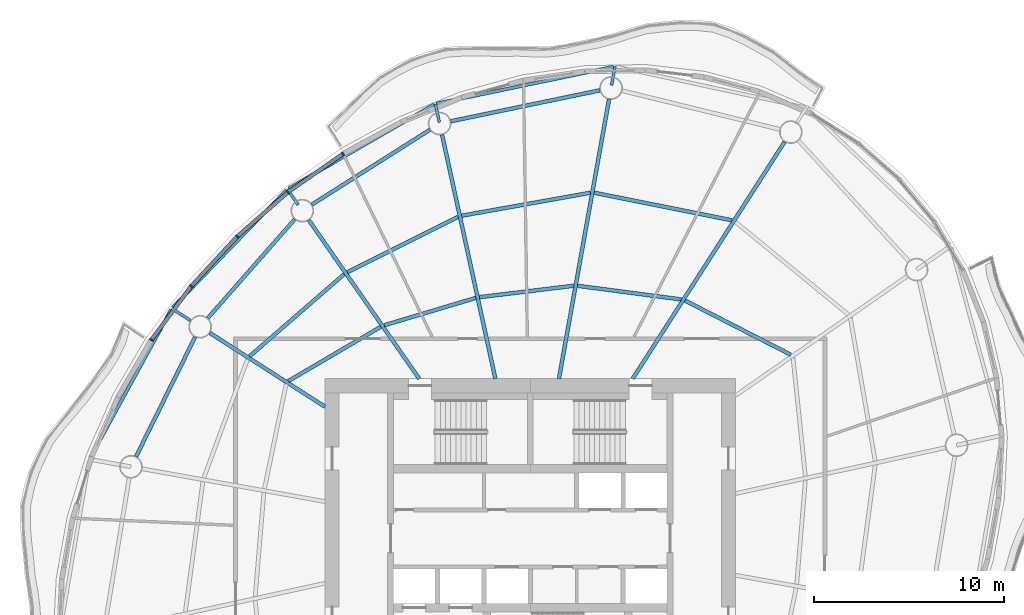
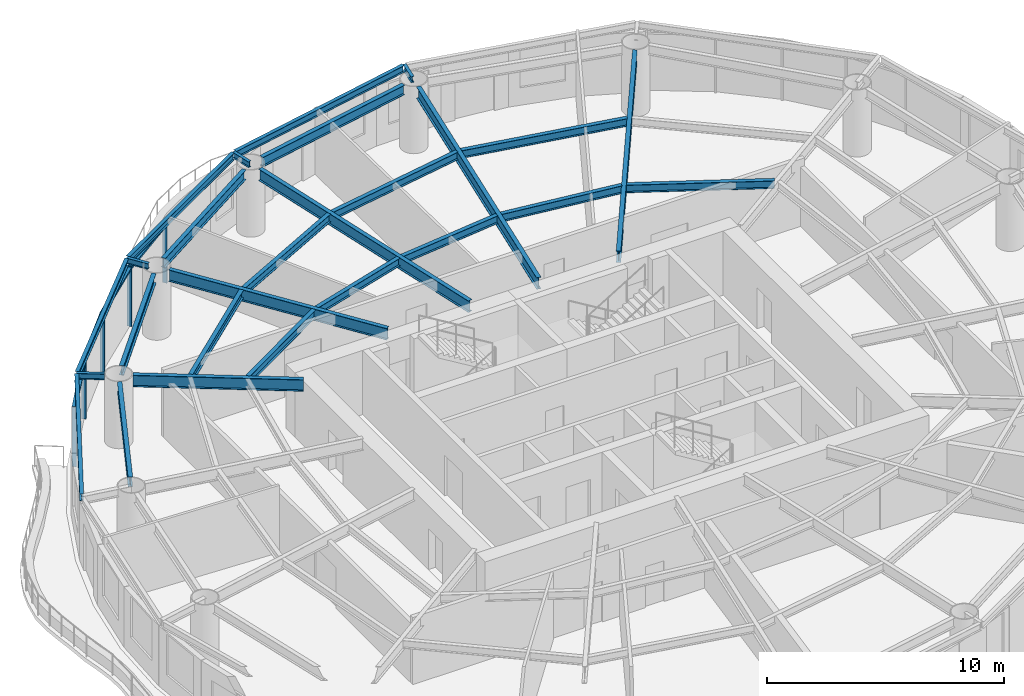
# One storey, part 5 of 14: 26 beams, 9 members, 4 elements without a shape of their own.
"""IFC4 building model written with IfcOpenShell, lengths in metres."""

from ifc_helpers import new_model, si_unit, direction, frame, origin, origin_2d, place, context, subcontext, project, spatial, rectangle, i_section, extrude, material, material_profile, profile_set, type_object, element, aggregate, save


model = new_model("IFC4")

# Units and contexts
model_context = context("Model", 3, precision=1e-05, world=origin(), true_north=direction((0.0, 1.0)))
body_context = subcontext(model_context, "Body", "Model", "MODEL_VIEW")
ifc_project = project(units=[si_unit("LENGTHUNIT", "METRE"), si_unit("AREAUNIT", "SQUARE_METRE"), si_unit("VOLUMEUNIT", "CUBIC_METRE"), si_unit("PLANEANGLEUNIT", "RADIAN"), si_unit("MASSUNIT", "GRAM", prefix="KILO")], contexts=[model_context])

# Site, building, storey
site_placement = place(None, origin())
site = spatial("IfcSite", under=ifc_project, at=site_placement, CompositionType="ELEMENT")
building_placement = place(site_placement, origin())
building = spatial("IfcBuilding", under=site, at=building_placement, Name="Vermilion Reach Broadcast Tower", CompositionType="ELEMENT")
storey_placement = place(building_placement, frame((0.0, 0.0, 210.10009765625)))
storey = spatial("IfcBuildingStorey", under=building, at=storey_placement, Name="L51", CompositionType="ELEMENT", Elevation=210.10009765625)

# Beams
ifc_material_1 = material(Name="Steel S355J2", Category="steel")
ifc_material_profile_1 = material_profile(ifc_material_1, i_section(OverallWidth=0.175048828125, OverallDepth=0.35009765625, WebThickness=0.007080078125, FlangeThickness=0.010986328125, at=origin_2d()), Name="S355J2 HN 350x175x7x11")
ifc_profile_set_1 = profile_set([ifc_material_profile_1], Name="Steel S355J2")
beam_type_1 = type_object("IfcBeamType", Name="EB4 HN 350x175x7x11", PredefinedType="BEAM", material=ifc_profile_set_1)
beam_1_placement = place(storey_placement, frame((-1.62646484375, 24.8046875, 3.27490234375), z_axis=(-0.979072302553, -0.203512717966, 0.0), x_axis=(0.203512717966, -0.979072302553, 0.0)))
element("IfcBeam", 1, at=beam_1_placement, inside=storey, type_object=beam_type_1, Name="Edge beam EB4-02", PredefinedType="BEAM", context=body_context, shape_type="SweptSolid", body=[
    extrude(i_section(OverallWidth=0.175048828125, OverallDepth=0.35009765625, WebThickness=0.007080078125, FlangeThickness=0.010986328125, at=origin_2d()), origin(), (0.0, 0.0, 1.0), 9.4951171875),
])
beam_2_placement = place(storey_placement, frame((-11.064453125, 22.81787109375, 3.27490234375), z_axis=(-0.866108719217, -0.499855665663, 0.0), x_axis=(0.499855665663, -0.866108719217, 0.0)))
element("IfcBeam", 2, at=beam_2_placement, inside=storey, type_object=beam_type_1, Name="Edge beam EB4-03", PredefinedType="BEAM", context=body_context, shape_type="SweptSolid", body=[
    extrude(i_section(OverallWidth=0.175048828125, OverallDepth=0.35009765625, WebThickness=0.007080078125, FlangeThickness=0.010986328125, at=origin_2d()), origin(), (0.0, 0.0, 1.0), 8.83154296875),
])
beam_3_placement = place(storey_placement, frame((-18.83203125, 18.310791015625, 3.27490234375), z_axis=(-0.695751646897, -0.718282427628, 0.0), x_axis=(0.718282427628, -0.695751646897, 0.0)))
element("IfcBeam", 3, at=beam_3_placement, inside=storey, type_object=beam_type_1, Name="Edge beam EB4-04", PredefinedType="BEAM", context=body_context, shape_type="SweptSolid", body=[
    extrude(i_section(OverallWidth=0.175048828125, OverallDepth=0.35009765625, WebThickness=0.007080078125, FlangeThickness=0.010986328125, at=origin_2d()), origin(), (0.0, 0.0, 1.0), 8.58203125),
])
beam_4_placement = place(storey_placement, frame((-24.892333984375, 12.025634765625, 3.27490234375), z_axis=(-0.479506653317, -0.877538243853, 0.0), x_axis=(0.877538243853, -0.479506653317, 0.0)))
element("IfcBeam", 4, at=beam_4_placement, inside=storey, type_object=beam_type_1, Name="Edge beam EB4-05", PredefinedType="BEAM", context=body_context, shape_type="SweptSolid", body=[
    extrude(i_section(OverallWidth=0.175048828125, OverallDepth=0.35009765625, WebThickness=0.007080078125, FlangeThickness=0.010986328125, at=origin_2d()), origin(), (0.0, 0.0, 1.0), 8.857666015625),
])
ifc_material_2 = material(Name="Steel S355J2", Category="steel")
ifc_material_profile_2 = material_profile(ifc_material_2, i_section(OverallWidth=0.199951171875, OverallDepth=0.60009765625, WebThickness=0.010986328125, FlangeThickness=0.01708984375, at=origin_2d()), Name="S355J2 HN 600x200x11x17")
ifc_profile_set_2 = profile_set([ifc_material_profile_2], Name="Steel S355J2")
beam_type_2 = type_object("IfcBeamType", Name="G4 HN 600x200x11x17", PredefinedType="BEAM", material=ifc_profile_set_2)
beam_5_placement = place(storey_placement, frame((-0.613525390625, 8.39990234375, 3.14990234375), z_axis=(0.539796447586, 0.84179557802, 0.0), x_axis=(-0.84179557802, 0.539796447586, 0.0)))
element("IfcBeam", 5, at=beam_5_placement, inside=storey, type_object=beam_type_2, Name="Girder G4-01", PredefinedType="BEAM", context=body_context, shape_type="SweptSolid", body=[
    extrude(i_section(OverallWidth=0.199951171875, OverallDepth=0.60009765625, WebThickness=0.010986328125, FlangeThickness=0.01708984375, at=origin_2d()), origin(), (0.0, 0.0, 1.0), 14.8076171875),
])
beam_6_placement = place(storey_placement, frame((-4.4931640625, 8.39990234375, 3.14990234375), z_axis=(0.176574729047, 0.984287237072, 0.0), x_axis=(-0.984287237072, 0.176574729047, 0.0)))
element("IfcBeam", 6, at=beam_6_placement, inside=storey, type_object=beam_type_2, Name="Girder G4-02", PredefinedType="BEAM", context=body_context, shape_type="SweptSolid", body=[
    extrude(i_section(OverallWidth=0.199951171875, OverallDepth=0.60009765625, WebThickness=0.010986328125, FlangeThickness=0.01708984375, at=origin_2d()), origin(), (0.0, 0.0, 1.0), 14.935302734375),
])
beam_7_placement = place(storey_placement, frame((-7.836181640625, 8.39990234375, 3.14990234375), z_axis=(-0.213538346548, 0.976934682849, 0.0), x_axis=(-0.976934682849, -0.213538346548, 0.0)))
element("IfcBeam", 7, at=beam_7_placement, inside=storey, type_object=beam_type_2, Name="Girder G4-03", PredefinedType="BEAM", context=body_context, shape_type="SweptSolid", body=[
    extrude(i_section(OverallWidth=0.199951171875, OverallDepth=0.60009765625, WebThickness=0.010986328125, FlangeThickness=0.01708984375, at=origin_2d()), origin(), (0.0, 0.0, 1.0), 13.135498046875),
])
beam_8_placement = place(storey_placement, frame((-11.8447265625, 8.39990234375, 3.14990234375), z_axis=(-0.571134149017, 0.8208567377, 0.0), x_axis=(-0.8208567377, -0.571134149017, 0.0)))
element("IfcBeam", 8, at=beam_8_placement, inside=storey, type_object=beam_type_2, Name="Girder G4-04", PredefinedType="BEAM", context=body_context, shape_type="SweptSolid", body=[
    extrude(i_section(OverallWidth=0.199951171875, OverallDepth=0.60009765625, WebThickness=0.010986328125, FlangeThickness=0.01708984375, at=origin_2d()), origin(), (0.0, 0.0, 1.0), 10.16552734375),
])
beam_9_placement = place(storey_placement, frame((-16.800048828125, 6.925537109375, 3.14990234375), z_axis=(-0.841798504642, 0.539791883584, 0.0), x_axis=(-0.539791883584, -0.841798504642, 0.0)))
element("IfcBeam", 9, at=beam_9_placement, inside=storey, type_object=beam_type_2, Name="Girder G4-05", PredefinedType="BEAM", context=body_context, shape_type="SweptSolid", body=[
    extrude(i_section(OverallWidth=0.199951171875, OverallDepth=0.60009765625, WebThickness=0.010986328125, FlangeThickness=0.01708984375, at=origin_2d()), origin(), (0.0, 0.0, 1.0), 7.1962890625),
])
ifc_material_3 = material(Name="Steel S355J2", Category="steel")
ifc_material_profile_3 = material_profile(ifc_material_3, i_section(OverallWidth=0.14990234375, OverallDepth=0.300048828125, WebThickness=0.006591796875, FlangeThickness=0.009033203125, at=origin_2d()), Name="S355J2 HN 300x150x6.5x9")
ifc_profile_set_3 = profile_set([ifc_material_profile_3], Name="Steel S355J2")
beam_type_3 = type_object("IfcBeamType", Name="GS4 HN 300x150x6.5x9", PredefinedType="BEAM", material=ifc_profile_set_3)
beam_10_placement = place(storey_placement, frame((-1.723876953125, 23.8369140625, 3.2998046875), z_axis=(0.176542748677, 0.984292973606, 0.0), x_axis=(-0.984292973606, 0.176542748677, 0.0)))
element("IfcBeam", 10, at=beam_10_placement, inside=storey, type_object=beam_type_3, Name="Cantilever stub GS4-02", PredefinedType="BEAM", context=body_context, shape_type="SweptSolid", body=[
    extrude(i_section(OverallWidth=0.14990234375, OverallDepth=0.300048828125, WebThickness=0.006591796875, FlangeThickness=0.009033203125, at=origin_2d()), origin(), (0.0, 0.0, 1.0), 0.999755859375),
])
for number, where, z_axis, x_axis, name in (
    (11, (-10.78271484375, 21.880126953125, 3.2998046875), (-0.213361967393, 0.976973219116, 0.0), (-0.976973219116, -0.213361967393, 0.0), "Cantilever stub GS4-03"),
    (12, (-18.20751953125, 17.544921875, 3.2998046875), (-0.571264751294, 0.820765852073, 0.0), (-0.820765852073, -0.571264751294, 0.0), "Cantilever stub GS4-04"),
):
    element("IfcBeam", number, at=place(storey_placement, frame(where, z_axis=z_axis, x_axis=x_axis)), inside=storey, type_object=beam_type_3, Name=name, PredefinedType="BEAM", context=body_context, shape_type="SweptSolid", body=[
        extrude(i_section(OverallWidth=0.14990234375, OverallDepth=0.300048828125, WebThickness=0.006591796875, FlangeThickness=0.009033203125, at=origin_2d()), origin(), (0.0, 0.0, 1.0), 1.0),
    ])
beam_11_placement = place(storey_placement, frame((-23.867919921875, 11.457763671875, 3.2998046875), z_axis=(-0.841772532358, 0.539832384882, 0.0), x_axis=(-0.539832384882, -0.841772532358, 0.0)))
element("IfcBeam", 13, at=beam_11_placement, inside=storey, type_object=beam_type_3, Name="Cantilever stub GS4-05", PredefinedType="BEAM", context=body_context, shape_type="SweptSolid", body=[
    extrude(i_section(OverallWidth=0.14990234375, OverallDepth=0.300048828125, WebThickness=0.006591796875, FlangeThickness=0.009033203125, at=origin_2d()), origin(), (0.0, 0.0, 1.0), 1.174072265625),
])
ifc_material_4 = material(Name="Steel S355J2", Category="steel")
ifc_material_profile_4 = material_profile(ifc_material_4, i_section(OverallWidth=0.199951171875, OverallDepth=0.5, WebThickness=0.010009765625, FlangeThickness=0.01611328125, at=origin_2d()), Name="S355J2 HN 500x200x10x16")
ifc_profile_set_4 = profile_set([ifc_material_profile_4], Name="Steel S355J2")
beam_type_4 = type_object("IfcBeamType", Name="RB4 HN 500x200x10x16", PredefinedType="BEAM", material=ifc_profile_set_4)
beam_12_placement = place(storey_placement, frame((-2.337646484375, 23.569091796875, 3.199951171875), z_axis=(-0.97912342484, -0.203266620302, 0.0), x_axis=(0.203266620302, -0.97912342484, 0.0)))
element("IfcBeam", 14, at=beam_12_placement, inside=storey, type_object=beam_type_4, Name="Ring beam RB4-02", PredefinedType="BEAM", context=body_context, shape_type="SweptSolid", body=[
    extrude(i_section(OverallWidth=0.199951171875, OverallDepth=0.5, WebThickness=0.010009765625, FlangeThickness=0.01611328125, at=origin_2d()), origin(), (0.0, 0.0, 1.0), 8.01123046875),
])
beam_13_placement = place(storey_placement, frame((-11.27587890625, 21.497314453125, 3.199951171875), z_axis=(-0.84446426774, -0.535611893549, 0.0), x_axis=(0.535611893549, -0.84446426774, 0.0)))
element("IfcBeam", 15, at=beam_13_placement, inside=storey, type_object=beam_type_4, Name="Ring beam RB4-03", PredefinedType="BEAM", context=body_context, shape_type="SweptSolid", body=[
    extrude(i_section(OverallWidth=0.199951171875, OverallDepth=0.5, WebThickness=0.010009765625, FlangeThickness=0.01611328125, at=origin_2d()), origin(), (0.0, 0.0, 1.0), 7.3544921875),
])
beam_14_placement = place(storey_placement, frame((-18.3896484375, 16.786376953125, 3.199951171875), z_axis=(-0.660565141761, -0.750768735024, 0.0), x_axis=(0.750768735024, -0.660565141761, 0.0)))
element("IfcBeam", 16, at=beam_14_placement, inside=storey, type_object=beam_type_4, Name="Ring beam RB4-04", PredefinedType="BEAM", context=body_context, shape_type="SweptSolid", body=[
    extrude(i_section(OverallWidth=0.199951171875, OverallDepth=0.5, WebThickness=0.010009765625, FlangeThickness=0.01611328125, at=origin_2d()), origin(), (0.0, 0.0, 1.0), 6.9287109375),
])
beam_15_placement = place(storey_placement, frame((-23.628662109375, 10.595947265625, 3.199951171875), z_axis=(-0.442977497199, -0.896532730566, 0.0), x_axis=(0.896532730566, -0.442977497199, 0.0)))
element("IfcBeam", 17, at=beam_15_placement, inside=storey, type_object=beam_type_4, Name="Ring beam RB4-05", PredefinedType="BEAM", context=body_context, shape_type="SweptSolid", body=[
    extrude(i_section(OverallWidth=0.199951171875, OverallDepth=0.5, WebThickness=0.010009765625, FlangeThickness=0.01611328125, at=origin_2d()), origin(), (0.0, 0.0, 1.0), 7.0166015625),
])
ifc_material_5 = material(Name="Steel S355J2", Category="steel")
ifc_material_profile_5 = material_profile(ifc_material_5, i_section(OverallWidth=0.199951171875, OverallDepth=0.39990234375, WebThickness=0.008056640625, FlangeThickness=0.012939453125, at=origin_2d()), Name="S355J2 HN 400x200x8x13")
ifc_profile_set_5 = profile_set([ifc_material_profile_5], Name="Steel S355J2")
beam_type_5 = type_object("IfcBeamType", Name="SB4 HN 400x200x8x13", PredefinedType="BEAM", material=ifc_profile_set_5)
beam_16_placement = place(storey_placement, frame((1.94140625, 12.5693359375, 3.25), z_axis=(-0.991458070019, 0.130425823341, 0.0), x_axis=(-0.130425823341, -0.991458070019, 0.0)))
element("IfcBeam", 18, at=beam_16_placement, inside=storey, type_object=beam_type_5, Name="Secondary beam SB4-01-1", PredefinedType="BEAM", context=body_context, shape_type="SweptSolid", body=[
    extrude(i_section(OverallWidth=0.199951171875, OverallDepth=0.39990234375, WebThickness=0.008056640625, FlangeThickness=0.012939453125, at=origin_2d()), origin(), (0.0, 0.0, 1.0), 5.50341796875),
])
beam_17_placement = place(storey_placement, frame((4.60986328125, 16.73095703125, 3.25), z_axis=(-0.9805717807, 0.196160604851, 0.0), x_axis=(-0.196160604851, -0.9805717807, 0.0)))
element("IfcBeam", 19, at=beam_17_placement, inside=storey, type_object=beam_type_5, Name="Secondary beam SB4-01-2", PredefinedType="BEAM", context=body_context, shape_type="SweptSolid", body=[
    extrude(i_section(OverallWidth=0.199951171875, OverallDepth=0.39990234375, WebThickness=0.008056640625, FlangeThickness=0.012939453125, at=origin_2d()), origin(), (0.0, 0.0, 1.0), 7.390380859375),
])
beam_18_placement = place(storey_placement, frame((-3.718017578125, 13.28759765625, 3.25), z_axis=(-0.99278788328, -0.119884189168, 0.0), x_axis=(0.119884189168, -0.99278788328, 0.0)))
element("IfcBeam", 20, at=beam_18_placement, inside=storey, type_object=beam_type_5, Name="Secondary beam SB4-02-1", PredefinedType="BEAM", context=body_context, shape_type="SweptSolid", body=[
    extrude(i_section(OverallWidth=0.199951171875, OverallDepth=0.39990234375, WebThickness=0.008056640625, FlangeThickness=0.012939453125, at=origin_2d()), origin(), (0.0, 0.0, 1.0), 4.9892578125),
])
beam_19_placement = place(storey_placement, frame((-2.840087890625, 18.181640625, 3.25), z_axis=(-0.984415281892, -0.175859468829, 0.0), x_axis=(0.175859468829, -0.984415281892, 0.0)))
element("IfcBeam", 21, at=beam_19_placement, inside=storey, type_object=beam_type_5, Name="Secondary beam SB4-02-2", PredefinedType="BEAM", context=body_context, shape_type="SweptSolid", body=[
    extrude(i_section(OverallWidth=0.199951171875, OverallDepth=0.39990234375, WebThickness=0.008056640625, FlangeThickness=0.012939453125, at=origin_2d()), origin(), (0.0, 0.0, 1.0), 6.874755859375),
])
beam_20_placement = place(storey_placement, frame((-8.8671875, 12.64892578125, 3.25), z_axis=(-0.958173460215, -0.28618808525, 0.0), x_axis=(0.28618808525, -0.958173460215, 0.0)))
element("IfcBeam", 22, at=beam_20_placement, inside=storey, type_object=beam_type_5, Name="Secondary beam SB4-03-1", PredefinedType="BEAM", context=body_context, shape_type="SweptSolid", body=[
    extrude(i_section(OverallWidth=0.199951171875, OverallDepth=0.39990234375, WebThickness=0.008056640625, FlangeThickness=0.012939453125, at=origin_2d()), origin(), (0.0, 0.0, 1.0), 5.02197265625),
])
beam_21_placement = place(storey_placement, frame((-9.79833984375, 16.908935546875, 3.25), z_axis=(-0.895183615542, -0.445697536974, 0.0), x_axis=(0.445697536974, -0.895183615542, 0.0)))
element("IfcBeam", 23, at=beam_21_placement, inside=storey, type_object=beam_type_5, Name="Secondary beam SB4-03-2", PredefinedType="BEAM", context=body_context, shape_type="SweptSolid", body=[
    extrude(i_section(OverallWidth=0.199951171875, OverallDepth=0.39990234375, WebThickness=0.008056640625, FlangeThickness=0.012939453125, at=origin_2d()), origin(), (0.0, 0.0, 1.0), 6.508544921875),
])
beam_22_placement = place(storey_placement, frame((-13.866455078125, 11.130615234375, 3.25), z_axis=(-0.862172572268, -0.506614701356, 0.0), x_axis=(0.506614701356, -0.862172572268, 0.0)))
element("IfcBeam", 24, at=beam_22_placement, inside=storey, type_object=beam_type_5, Name="Secondary beam SB4-04-1", PredefinedType="BEAM", context=body_context, shape_type="SweptSolid", body=[
    extrude(i_section(OverallWidth=0.199951171875, OverallDepth=0.39990234375, WebThickness=0.008056640625, FlangeThickness=0.012939453125, at=origin_2d()), origin(), (0.0, 0.0, 1.0), 5.632568359375),
])
beam_23_placement = place(storey_placement, frame((-15.791259765625, 13.89697265625, 3.25), z_axis=(-0.755129308567, -0.655575874589, 0.0), x_axis=(0.655575874589, -0.755129308567, 0.0)))
element("IfcBeam", 25, at=beam_23_placement, inside=storey, type_object=beam_type_5, Name="Secondary beam SB4-04-2", PredefinedType="BEAM", context=body_context, shape_type="SweptSolid", body=[
    extrude(i_section(OverallWidth=0.199951171875, OverallDepth=0.39990234375, WebThickness=0.008056640625, FlangeThickness=0.012939453125, at=origin_2d()), origin(), (0.0, 0.0, 1.0), 6.57958984375),
])
beam_24_placement = place(storey_placement, frame((7.707763671875, 9.659423828125, 3.25), z_axis=(-0.89015575218, 0.455656380249, 0.0), x_axis=(-0.455656380249, -0.89015575218, 0.0)))
element("IfcBeam", 26, at=beam_24_placement, inside=storey, type_object=beam_type_5, Name="Secondary beam SB4-16-1", PredefinedType="BEAM", context=body_context, shape_type="SweptSolid", body=[
    extrude(i_section(OverallWidth=0.199951171875, OverallDepth=0.39990234375, WebThickness=0.008056640625, FlangeThickness=0.012939453125, at=origin_2d()), origin(), (0.0, 0.0, 1.0), 6.25439453125),
])

# Curtain wall, member
ifc_material_6 = material(Name="Low-e laminated clear glass in aluminium frame", Category="aluminium")
curtain_wall_type = type_object("IfcCurtainWallType", Name="Slot curtain wall", PredefinedType="NOTDEFINED", material=ifc_material_6)
placement = place(storey_placement, origin())
curtain_wall_1 = element("IfcCurtainWall", 27, at=placement, inside=storey, type_object=curtain_wall_type, Name="Slot curtain wall L51 10", PredefinedType="NOTDEFINED")
ifc_material_7 = material(Name="Anodised aluminium", Category="aluminium")
ifc_material_profile_6 = material_profile(ifc_material_7, rectangle(XDim=0.199951171875, YDim=0.080078125, at=origin_2d()), Name="Slot mullion 80 x 200")
ifc_profile_set_6 = profile_set([ifc_material_profile_6], Name="Anodised aluminium")
member_type_1 = type_object("IfcMemberType", Name="Slot mullion 80 x 200", PredefinedType="MULLION", material=ifc_profile_set_6)
member_1_placement = place(storey_placement, frame((-15.8544921875, 20.225830078125, 0.0), z_axis=(0.0, 0.0, 1.0), x_axis=(0.526347655403, -0.850269454733, 0.0)))
member_1 = element("IfcMember", 28, at=member_1_placement, type_object=member_type_1, Name="Slot mullion L51 10", PredefinedType="MULLION", context=body_context, shape_type="SweptSolid", body=[
    extrude(rectangle(XDim=0.199951171875, YDim=0.080078125, at=origin_2d()), origin(), (0.0, 0.0, 1.0), 3.0498046875),
])

curtain_wall_2 = element("IfcCurtainWall", 29, at=placement, inside=storey, type_object=curtain_wall_type, Name="Slot curtain wall L51 11", PredefinedType="NOTDEFINED")
member_2_placement = place(storey_placement, frame((-18.746337890625, 18.20849609375, 0.0), z_axis=(0.0, 0.0, 1.0), x_axis=(0.615579926315, -0.788074459882, 0.0)))
member_2 = element("IfcMember", 30, at=member_2_placement, type_object=member_type_1, Name="Slot mullion L51 11", PredefinedType="MULLION", context=body_context, shape_type="SweptSolid", body=[
    extrude(rectangle(XDim=0.199951171875, YDim=0.080078125, at=origin_2d()), origin(), (0.0, 0.0, 1.0), 3.0498046875),
])

curtain_wall_3 = element("IfcCurtainWall", 31, at=placement, inside=storey, type_object=curtain_wall_type, Name="Slot curtain wall L51 12", PredefinedType="NOTDEFINED")
member_3_placement = place(storey_placement, frame((-21.419189453125, 15.8779296875, 0.0), z_axis=(0.0, 0.0, 1.0), x_axis=(0.696664415934, -0.717397164457, 0.0)))
member_3 = element("IfcMember", 32, at=member_3_placement, type_object=member_type_1, Name="Slot mullion L51 12", PredefinedType="MULLION", context=body_context, shape_type="SweptSolid", body=[
    extrude(rectangle(XDim=0.199951171875, YDim=0.080078125, at=origin_2d()), origin(), (0.0, 0.0, 1.0), 3.0498046875),
])

# Curtain wall, members
curtain_wall_4 = element("IfcCurtainWall", 33, at=placement, inside=storey, type_object=curtain_wall_type, Name="Slot curtain wall L51 13", PredefinedType="NOTDEFINED")
member_4_placement = place(storey_placement, frame((-23.826904296875, 13.274658203125, 0.0), z_axis=(0.0, 0.0, 1.0), x_axis=(0.769688579351, -0.638419525717, 0.0)))
member_4 = element("IfcMember", 34, at=member_4_placement, type_object=member_type_1, Name="Slot mullion L51 13", PredefinedType="MULLION", context=body_context, shape_type="SweptSolid", body=[
    extrude(rectangle(XDim=0.199951171875, YDim=0.080078125, at=origin_2d()), origin(), (0.0, 0.0, 1.0), 3.0498046875),
])
member_5_placement = place(storey_placement, frame((-25.92822265625, 10.443359375, 0.0), z_axis=(0.0, 0.0, 1.0), x_axis=(0.834472938971, -0.551048921716, 0.0)))
member_5 = element("IfcMember", 35, at=member_5_placement, type_object=member_type_1, Name="Slot mullion L51 14", PredefinedType="MULLION", context=body_context, shape_type="SweptSolid", body=[
    extrude(rectangle(XDim=0.199951171875, YDim=0.080078125, at=origin_2d()), origin(), (0.0, 0.0, 1.0), 3.0498046875),
])

# Member
ifc_material_8 = material(Name="Anodised aluminium", Category="aluminium")
ifc_material_profile_7 = material_profile(ifc_material_8, rectangle(XDim=0.199951171875, YDim=0.10009765625, at=origin_2d()), Name="Slot transom 200 x 100")
ifc_profile_set_7 = profile_set([ifc_material_profile_7], Name="Anodised aluminium")
member_type_2 = type_object("IfcMemberType", Name="Slot transom 200 x 100", PredefinedType="USERDEFINED", material=ifc_profile_set_7)
member_6_placement = place(storey_placement, frame((-15.887451171875, 20.202880859375, 3.0), z_axis=(-0.820113036222, -0.572201544754, 0.0), x_axis=(0.572201544754, -0.820113036222, 0.0)))
member_6 = element("IfcMember", 36, at=member_6_placement, type_object=member_type_2, Name="Slot transom L51 10.1", ObjectType="TRANSOM", PredefinedType="USERDEFINED", context=body_context, shape_type="SweptSolid", body=[
    extrude(rectangle(XDim=0.199951171875, YDim=0.10009765625, at=origin_2d()), origin(), (0.0, 0.0, 1.0), 3.44580078125),
])

aggregate(curtain_wall_1, [member_1, member_6])

member_7_placement = place(storey_placement, frame((-18.7763671875, 18.18212890625, 3.0), z_axis=(-0.753740523465, -0.657172141289, 0.0), x_axis=(0.657172141289, -0.753740523465, 0.0)))
member_7 = element("IfcMember", 37, at=member_7_placement, type_object=member_type_2, Name="Slot transom L51 11.1", ObjectType="TRANSOM", PredefinedType="USERDEFINED", context=body_context, shape_type="SweptSolid", body=[
    extrude(rectangle(XDim=0.199951171875, YDim=0.10009765625, at=origin_2d()), origin(), (0.0, 0.0, 1.0), 3.466064453125),
])

aggregate(curtain_wall_2, [member_2, member_7])

member_8_placement = place(storey_placement, frame((-21.4462890625, 15.8486328125, 3.0), z_axis=(-0.678993584238, -0.734144204202, 0.0), x_axis=(0.734144204202, -0.678993584238, 0.0)))
member_8 = element("IfcMember", 38, at=member_8_placement, type_object=member_type_2, Name="Slot transom L51 12.1", ObjectType="TRANSOM", PredefinedType="USERDEFINED", context=body_context, shape_type="SweptSolid", body=[
    extrude(rectangle(XDim=0.199951171875, YDim=0.10009765625, at=origin_2d()), origin(), (0.0, 0.0, 1.0), 3.466064453125),
])

aggregate(curtain_wall_3, [member_3, member_8])

member_9_placement = place(storey_placement, frame((-23.850830078125, 13.242431640625, 3.0), z_axis=(-0.595933892366, -0.803033496144, 0.0), x_axis=(0.803033496144, -0.595933892366, 0.0)))
member_9 = element("IfcMember", 39, at=member_9_placement, type_object=member_type_2, Name="Slot transom L51 13.1", ObjectType="TRANSOM", PredefinedType="USERDEFINED", context=body_context, shape_type="SweptSolid", body=[
    extrude(rectangle(XDim=0.199951171875, YDim=0.10009765625, at=origin_2d()), origin(), (0.0, 0.0, 1.0), 3.44580078125),
])

aggregate(curtain_wall_4, [member_4, member_5, member_9])

save(model, "model.ifc")
